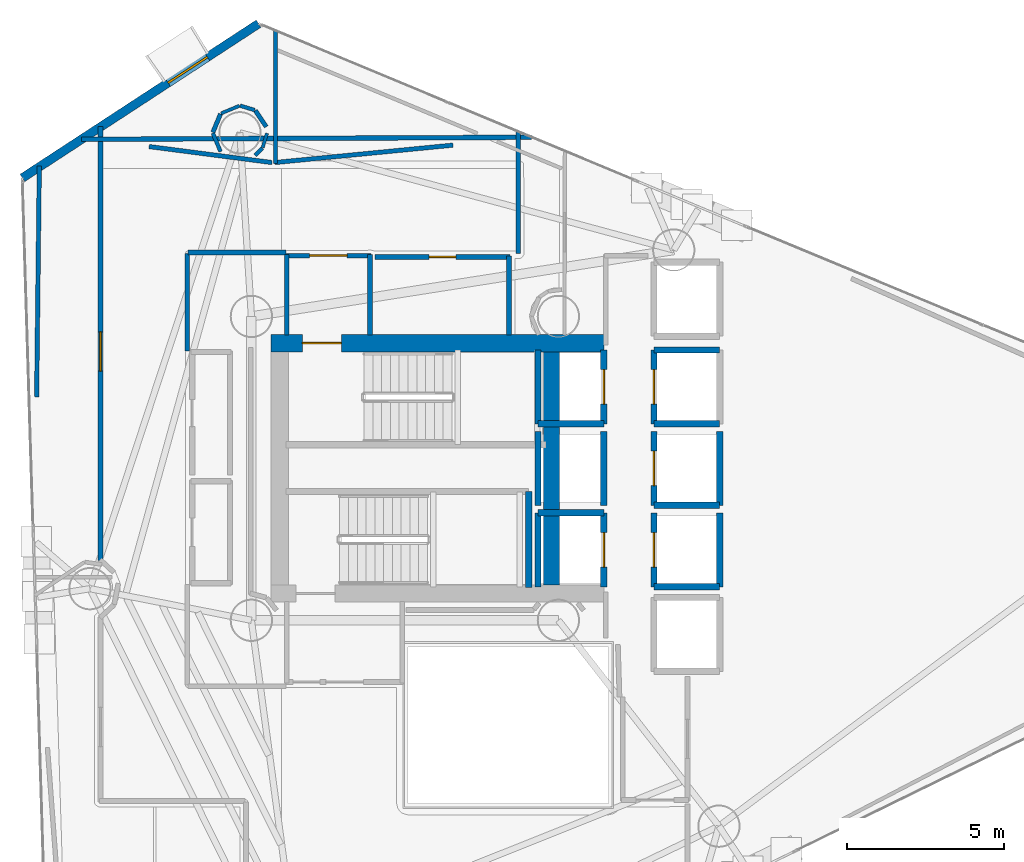
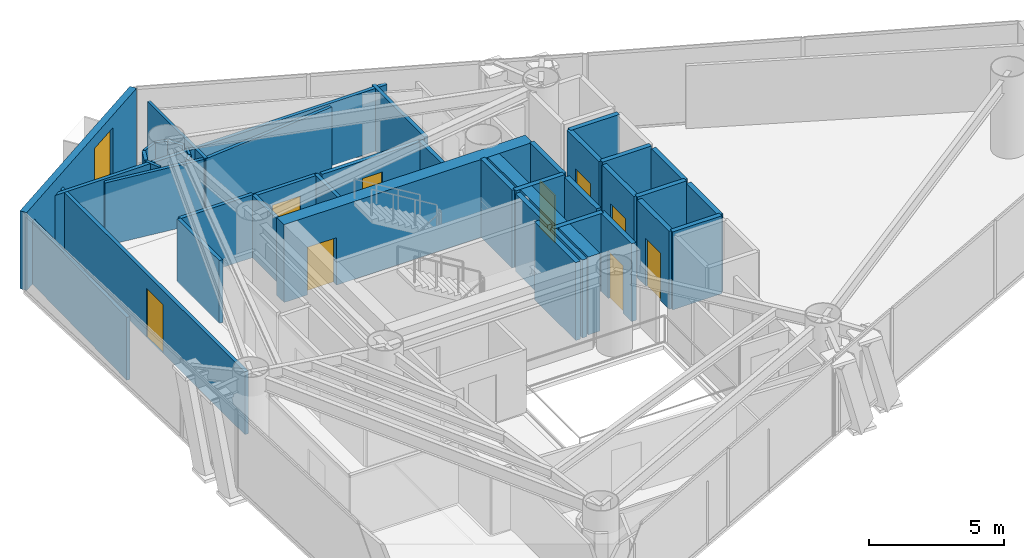
# One storey, part 19 of 22: 42 walls, 9 doors, 1 window, 10 openings.
"""IFC4 building model written with IfcOpenShell, lengths in metres."""

from ifc_helpers import new_model, si_unit, direction, frame, frame_2d, origin, place, context, subcontext, project, spatial, rectangle, extrude, material, layer, layer_set, type_object, element, fill, save


model = new_model("IFC4")

# Units and contexts
model_context = context("Model", 3, precision=1e-05, world=origin(), true_north=direction((0.0, 1.0)))
body_context = subcontext(model_context, "Body", "Model", "MODEL_VIEW")
ifc_project = project(units=[si_unit("LENGTHUNIT", "METRE"), si_unit("AREAUNIT", "SQUARE_METRE"), si_unit("VOLUMEUNIT", "CUBIC_METRE"), si_unit("PLANEANGLEUNIT", "RADIAN"), si_unit("MASSUNIT", "GRAM", prefix="KILO")], contexts=[model_context])

# Site, building, storey
site_placement = place(None, origin())
site = spatial("IfcSite", under=ifc_project, at=site_placement, CompositionType="ELEMENT")
building_placement = place(site_placement, origin())
building = spatial("IfcBuilding", under=site, at=building_placement, Name="Qianvela Tower", CompositionType="ELEMENT")
storey_placement = place(building_placement, frame((0.0, 0.0, 158.699951171875)))
storey = spatial("IfcBuildingStorey", under=building, at=storey_placement, Name="L40", CompositionType="ELEMENT", Elevation=158.699951171875)

# Wall, opening, window
ifc_material_1 = material(Name="Terracotta Cladding on Concrete C40", Category="masonry")
ifc_layer_1 = layer(ifc_material_1, 0.280029296875)
ifc_layer_set_1 = layer_set([ifc_layer_1], Name="Terracotta Cladding on Concrete C40")
wall_type_1 = type_object("IfcWallType", Name="TERRACOTTA-WALL-280", PredefinedType="SOLIDWALL", material=ifc_layer_set_1)
wall_1_placement = place(storey_placement, frame((28.82958984375, 42.894287109375, 0.0), z_axis=(0.0, 0.0, 1.0), x_axis=(-0.837273291315, -0.5467846337, 0.0)))
wall_1 = element("IfcWall", 1, at=wall_1_placement, inside=storey, type_object=wall_type_1, Name="L40 Terracotta Chamfer Facet Wall 3", PredefinedType="SOLIDWALL", context=body_context, shape_type="SweptSolid", body=[
    extrude(rectangle(XDim=9.003662109375, YDim=0.280029296875, at=frame_2d((4.501953125, 0.0))), origin(), (0.0, 0.0, 1.0), 3.52001953125),
])
opening_1_placement = place(wall_1_placement, frame((1.951171875, 0.0, 0.85009765625)))
opening_1 = element("IfcOpeningElement", 2, at=opening_1_placement, cuts=wall_1, Name="Opening W-02", PredefinedType="OPENING", context=body_context, shape_type="SweptSolid", body=[
    extrude(rectangle(XDim=1.5, YDim=2.10009765625, at=frame_2d((0.75, 1.050048828125))), frame((0.0, 0.14990234375, 0.0), z_axis=(0.0, -1.0, 0.0), x_axis=(1.0, 0.0, 0.0)), (0.0, 0.0, 1.0), 0.300048828125),
])
ifc_material_2 = material(Name="Thermally Broken Aluminium and Low-E Glass", Category="aluminium")
window_type = type_object("IfcWindowType", Name="WIN-TC-1500x2100", PartitioningType="DOUBLE_PANEL_VERTICAL", PredefinedType="WINDOW", material=ifc_material_2)
window_placement = place(opening_1_placement, origin())
window = element("IfcWindow", 3, at=window_placement, inside=storey, type_object=window_type, Name="L40 Chamfer Facet Window 3.1", OverallHeight=2.10009765625, OverallWidth=1.5, PartitioningType="SINGLE_PANEL", PredefinedType="WINDOW", context=body_context, shape_type="SweptSolid", body=[
    extrude(rectangle(XDim=1.5, YDim=2.10009765625, at=frame_2d((0.75, 1.050048828125))), frame((0.0, 0.030029296875, 0.0), z_axis=(0.0, -1.0, 0.0), x_axis=(1.0, 0.0, 0.0)), (0.0, 0.0, 1.0), 0.06005859375),
])
fill(opening_1, window)

# Wall, opening, door
ifc_material_3 = material(Name="Concrete C60", Category="concrete")
ifc_layer_2 = layer(ifc_material_3, 0.550048828125)
ifc_layer_set_2 = layer_set([ifc_layer_2], Name="Concrete C60")
wall_type_2 = type_object("IfcWallType", Name="WT-CORE-550", PredefinedType="SHEAR", material=ifc_layer_set_2)
wall_2_placement = place(storey_placement, frame((29.22998046875, 32.695068359375, 0.0), z_axis=(0.0, 0.0, 1.0), x_axis=(1.0, 0.0, 0.0)))
wall_2 = element("IfcWall", 4, at=wall_2_placement, inside=storey, type_object=wall_type_2, Name="L40 North Core Shear Wall", PredefinedType="SHEAR", context=body_context, shape_type="SweptSolid", body=[
    extrude(rectangle(XDim=10.6201171875, YDim=0.550048828125, at=frame_2d((5.31005859375, 0.0))), origin(), (0.0, 0.0, 1.0), 3.52001953125),
])
opening_2_placement = place(wall_2_placement, frame((0.9951171875, 0.0, 0.0)))
opening_2 = element("IfcOpeningElement", 5, at=opening_2_placement, cuts=wall_2, Name="Opening D-ST1", PredefinedType="OPENING", context=body_context, shape_type="SweptSolid", body=[
    extrude(rectangle(XDim=1.25, YDim=2.14990234375, at=frame_2d((0.625, 1.074951171875))), frame((0.0, 0.284912109375, 0.0), z_axis=(0.0, -1.0, 0.0), x_axis=(1.0, 0.0, 0.0)), (0.0, 0.0, 1.0), 0.570068359375),
])
ifc_material_4 = material(Name="Galvanised Fire Steel Q355B", Category="steel")
door_type_1 = type_object("IfcDoorType", Name="DT-STAIR-FD90", OperationType="NOTDEFINED", PredefinedType="DOOR", material=ifc_material_4)
door_1_placement = place(opening_2_placement, origin())
door_1 = element("IfcDoor", 6, at=door_1_placement, inside=storey, type_object=door_type_1, Name="L40 Stair ST-1 Exit Door", OperationType="SINGLE_SWING_RIGHT", OverallHeight=2.14990234375, OverallWidth=1.25, PredefinedType="DOOR", context=body_context, shape_type="SweptSolid", body=[
    extrude(rectangle(XDim=1.25, YDim=2.14990234375, at=frame_2d((0.625, 1.074951171875))), frame((0.0, 0.02490234375, 0.0), z_axis=(0.0, -1.0, 0.0), x_axis=(1.0, 0.0, 0.0)), (0.0, 0.0, 1.0), 0.050048828125),
])
fill(opening_2, door_1)

# Walls
wall_3_placement = place(storey_placement, frame((38.179931640625, 24.97998046875, 0.0), z_axis=(0.0, 0.0, 1.0), x_axis=(0.0, 1.0, 0.0)))
element("IfcWall", 7, at=wall_3_placement, inside=storey, type_object=wall_type_2, Name="L40 East Spine Core Shear Wall", PredefinedType="SHEAR", context=body_context, shape_type="SweptSolid", body=[
    extrude(rectangle(XDim=7.43994140625, YDim=0.5, at=frame_2d((3.719970703125, 0.0))), origin(), (0.0, 0.0, 1.0), 3.52001953125),
])
ifc_material_5 = material(Name="Fire-Rated Acoustic Gypsum Board")
ifc_layer_3 = layer(ifc_material_5, 0.14990234375)
ifc_layer_set_3 = layer_set([ifc_layer_3], Name="Fire-Rated Acoustic Gypsum Board")
wall_type_3 = type_object("IfcWallType", Name="WT-CORR-150", PredefinedType="PARTITIONING", material=ifc_layer_set_3)
wall_4_placement = place(storey_placement, frame((29.73095703125, 32.9580078125, 0.0), z_axis=(0.0, 0.0, 1.0), x_axis=(0.0, 1.0, 0.0)))
element("IfcWall", 8, at=wall_4_placement, inside=storey, type_object=wall_type_3, Name="L40 Partition 2", PredefinedType="PARTITIONING", context=body_context, shape_type="SweptSolid", body=[
    extrude(rectangle(XDim=2.56201171875, YDim=0.14990234375, at=frame_2d((1.281005859375, 0.0))), origin(), (0.0, 0.0, 1.0), 2.840087890625),
])

# Wall, opening, door
wall_5_placement = place(storey_placement, frame((29.699951171875, 35.489013671875, 0.0), z_axis=(0.0, 0.0, 1.0), x_axis=(1.0, 0.0, 0.0)))
wall_5 = element("IfcWall", 9, at=wall_5_placement, inside=storey, type_object=wall_type_3, Name="L40 Partition 3", PredefinedType="PARTITIONING", context=body_context, shape_type="SweptSolid", body=[
    extrude(rectangle(XDim=2.719970703125, YDim=0.14990234375, at=frame_2d((1.35986328125, 0.0))), origin(), (0.0, 0.0, 1.0), 2.840087890625),
])
opening_3_placement = place(wall_5_placement, frame((0.760009765625, 0.0, 0.0)))
opening_3 = element("IfcOpeningElement", 10, at=opening_3_placement, cuts=wall_5, Name="Opening D-LB1", PredefinedType="OPENING", context=body_context, shape_type="SweptSolid", body=[
    extrude(rectangle(XDim=1.199951171875, YDim=2.14990234375, at=frame_2d((0.60009765625, 1.074951171875))), frame((0.0, 0.0849609375, 0.0), z_axis=(0.0, -1.0, 0.0), x_axis=(1.0, 0.0, 0.0)), (0.0, 0.0, 1.0), 0.169921875),
])
ifc_material_6 = material(Name="Glazed Fire-Rated Steel Frame", Category="steel")
door_type_2 = type_object("IfcDoorType", Name="DT-LOBBY-FD90", OperationType="NOTDEFINED", PredefinedType="DOOR", material=ifc_material_6)
door_2_placement = place(opening_3_placement, origin())
door_2 = element("IfcDoor", 11, at=door_2_placement, inside=storey, type_object=door_type_2, Name="L40 Door L40 Firefighting Lobby North to L40 Floor Corridor", OperationType="SINGLE_SWING_LEFT", OverallHeight=2.14990234375, OverallWidth=1.199951171875, PredefinedType="DOOR", context=body_context, shape_type="SweptSolid", body=[
    extrude(rectangle(XDim=1.199951171875, YDim=2.14990234375, at=frame_2d((0.60009765625, 1.074951171875))), frame((0.0, 0.02490234375, 0.0), z_axis=(0.0, -1.0, 0.0), x_axis=(1.0, 0.0, 0.0)), (0.0, 0.0, 1.0), 0.050048828125),
])
fill(opening_3, door_2)

# Wall
wall_6_placement = place(storey_placement, frame((32.388916015625, 35.52001953125, 0.0), z_axis=(0.0, 0.0, 1.0), x_axis=(0.0, -1.0, 0.0)))
element("IfcWall", 12, at=wall_6_placement, inside=storey, type_object=wall_type_3, Name="L40 Partition 4", PredefinedType="PARTITIONING", context=body_context, shape_type="SweptSolid", body=[
    extrude(rectangle(XDim=2.56201171875, YDim=0.14990234375, at=frame_2d((1.281005859375, 0.0))), origin(), (0.0, 0.0, 1.0), 2.840087890625),
])

# Wall, opening, door
wall_7_placement = place(storey_placement, frame((23.781005859375, 25.76171875, 0.0), z_axis=(0.0, 0.0, 1.0), x_axis=(0.0, 1.0, 0.0)))
wall_7 = element("IfcWall", 13, at=wall_7_placement, inside=storey, type_object=wall_type_3, Name="L40 Partition 49", PredefinedType="PARTITIONING", context=body_context, shape_type="SweptSolid", body=[
    extrude(rectangle(XDim=13.855712890625, YDim=0.14990234375, at=frame_2d((6.927734375, 0.0))), origin(), (0.0, 0.0, 1.0), 2.840087890625),
])
opening_4_placement = place(wall_7_placement, frame((6.044189453125, 0.0, 0.0)))
opening_4 = element("IfcOpeningElement", 14, at=opening_4_placement, cuts=wall_7, Name="Opening D-LG1", PredefinedType="OPENING", context=body_context, shape_type="SweptSolid", body=[
    extrude(rectangle(XDim=1.25, YDim=2.199951171875, at=frame_2d((0.625, 1.10009765625))), frame((0.0, 0.0849609375, 0.0), z_axis=(0.0, -1.0, 0.0), x_axis=(1.0, 0.0, 0.0)), (0.0, 0.0, 1.0), 0.169921875),
])
ifc_material_7 = material(Name="Anodised Aluminium Acoustic Glass Door", Category="aluminium")
door_type_3 = type_object("IfcDoorType", Name="DT-LOUNGE-1250", OperationType="NOTDEFINED", PredefinedType="DOOR", material=ifc_material_7)
door_3_placement = place(opening_4_placement, origin())
door_3 = element("IfcDoor", 15, at=door_3_placement, inside=storey, type_object=door_type_3, Name="L40 Door Panoramic Study Lounge L40-05 to L40 Floor Corridor", OperationType="SINGLE_SWING_LEFT", OverallHeight=2.199951171875, OverallWidth=1.25, PredefinedType="DOOR", context=body_context, shape_type="SweptSolid", body=[
    extrude(rectangle(XDim=1.25, YDim=2.199951171875, at=frame_2d((0.625, 1.10009765625))), frame((0.0, 0.02490234375, 0.0), z_axis=(0.0, -1.0, 0.0), x_axis=(1.0, 0.0, 0.0)), (0.0, 0.0, 1.0), 0.050048828125),
])
fill(opening_4, door_3)

# Walls
wall_8_placement = place(storey_placement, frame((23.174072265625, 39.200927734375, 0.0), z_axis=(0.0, 0.0, 1.0), x_axis=(0.999989166238, 0.004654826148, 0.0)))
element("IfcWall", 16, at=wall_8_placement, inside=storey, type_object=wall_type_3, Name="L40 Partition 50", PredefinedType="PARTITIONING", context=body_context, shape_type="SweptSolid", body=[
    extrude(rectangle(XDim=14.37109375, YDim=0.14990234375, at=frame_2d((7.185546875, 0.0))), origin(), (0.0, 0.0, 1.0), 2.840087890625),
])
wall_9_placement = place(storey_placement, frame((37.118896484375, 39.465087890625, 0.0), z_axis=(0.0, 0.0, 1.0), x_axis=(0.0, -1.0, 0.0)))
element("IfcWall", 17, at=wall_9_placement, inside=storey, type_object=wall_type_3, Name="L40 Partition 51", PredefinedType="PARTITIONING", context=body_context, shape_type="SweptSolid", body=[
    extrude(rectangle(XDim=3.905029296875, YDim=0.14990234375, at=frame_2d((1.95263671875, 0.0))), origin(), (0.0, 0.0, 1.0), 2.840087890625),
])
wall_10_placement = place(storey_placement, frame((29.699951171875, 35.591064453125, 0.0), z_axis=(0.0, 0.0, 1.0), x_axis=(-1.0, 0.0, 0.0)))
element("IfcWall", 18, at=wall_10_placement, inside=storey, type_object=wall_type_3, Name="L40 Partition 52 seg 3", PredefinedType="PARTITIONING", context=body_context, shape_type="SweptSolid", body=[
    extrude(rectangle(XDim=3.119873046875, YDim=0.14990234375, at=frame_2d((1.56005859375, 0.0))), origin(), (0.0, 0.0, 1.0), 2.840087890625),
])
wall_11_placement = place(storey_placement, frame((26.549072265625, 35.56005859375, 0.0), z_axis=(0.0, 0.0, 1.0), x_axis=(0.0, -1.0, 0.0)))
element("IfcWall", 19, at=wall_11_placement, inside=storey, type_object=wall_type_3, Name="L40 Partition 53 seg 1", PredefinedType="PARTITIONING", context=body_context, shape_type="SweptSolid", body=[
    extrude(rectangle(XDim=3.110107421875, YDim=0.14990234375, at=frame_2d((1.55517578125, 0.0))), origin(), (0.0, 0.0, 1.0), 2.840087890625),
])
ifc_material_8 = material(Name="Lightweight Gypsum Room Partition")
ifc_layer_4 = layer(ifc_material_8, 0.10498046875)
ifc_layer_set_4 = layer_set([ifc_layer_4], Name="Lightweight Gypsum Room Partition")
wall_type_4 = type_object("IfcWallType", Name="WT-PART-105", PredefinedType="PARTITIONING", material=ifc_layer_set_4)
wall_12_placement = place(storey_placement, frame((28.22314453125, 40.274658203125, 0.0), z_axis=(0.0, 0.0, 1.0), x_axis=(-0.923821221018, -0.382824178437, 0.0)))
element("IfcWall", 20, at=wall_12_placement, inside=storey, type_object=wall_type_4, Name="L40 Partition 127", PredefinedType="PARTITIONING", context=body_context, shape_type="SweptSolid", body=[
    extrude(rectangle(XDim=0.638916015625, YDim=0.10498046875, at=frame_2d((0.3193359375, 0.0))), origin(), (0.0, 0.0, 1.0), 2.840087890625),
])
wall_13_placement = place(storey_placement, frame((28.958984375, 38.93798828125, 0.0), z_axis=(0.0, 0.0, 1.0), x_axis=(0.292866596221, 0.956153312402, 0.0)))
element("IfcWall", 21, at=wall_13_placement, inside=storey, type_object=wall_type_4, Name="L40 Partition 133", PredefinedType="PARTITIONING", context=body_context, shape_type="SweptSolid", body=[
    extrude(rectangle(XDim=0.478515625, YDim=0.10498046875, at=frame_2d((0.2392578125, 0.0))), origin(), (0.0, 0.0, 1.0), 2.840087890625),
])
ifc_material_9 = material(Name="Insulated Gypsum Stud Partition")
ifc_layer_5 = layer(ifc_material_9, 0.1201171875)
ifc_layer_set_5 = layer_set([ifc_layer_5], Name="Insulated Gypsum Stud Partition")
wall_type_5 = type_object("IfcWallType", Name="WT-PART-120", PredefinedType="PARTITIONING", material=ifc_layer_set_5)
wall_14_placement = place(storey_placement, frame((29.373046875, 38.429931640625, 0.0), z_axis=(0.0, 0.0, 1.0), x_axis=(0.0, 1.0, 0.0)))
element("IfcWall", 22, at=wall_14_placement, inside=storey, type_object=wall_type_5, Name="L40 Partition 111", PredefinedType="PARTITIONING", context=body_context, shape_type="SweptSolid", body=[
    extrude(rectangle(XDim=4.25830078125, YDim=0.1201171875, at=frame_2d((2.129150390625, 0.0))), origin(), (0.0, 0.0, 1.0), 2.840087890625),
])
wall_15_placement = place(storey_placement, frame((28.7080078125, 40.135009765625, 0.0), z_axis=(0.0, 0.0, 1.0), x_axis=(-0.95703287226, 0.289979449985, 0.0)))
element("IfcWall", 23, at=wall_15_placement, inside=storey, type_object=wall_type_5, Name="L40 Partition 126", PredefinedType="PARTITIONING", context=body_context, shape_type="SweptSolid", body=[
    extrude(rectangle(XDim=0.48486328125, YDim=0.1201171875, at=frame_2d((0.242431640625, 0.0))), origin(), (0.0, 0.0, 1.0), 2.840087890625),
])
wall_16_placement = place(storey_placement, frame((27.371337890625, 39.399169921875, 0.0), z_axis=(0.0, 0.0, 1.0), x_axis=(0.38268910224, -0.923877183952, 0.0)))
element("IfcWall", 24, at=wall_16_placement, inside=storey, type_object=wall_type_5, Name="L40 Partition 129", PredefinedType="PARTITIONING", context=body_context, shape_type="SweptSolid", body=[
    extrude(rectangle(XDim=0.63916015625, YDim=0.1201171875, at=frame_2d((0.319580078125, 0.0))), origin(), (0.0, 0.0, 1.0), 2.840087890625),
])
wall_17_placement = place(storey_placement, frame((28.720703125, 38.69482421875, 0.0), z_axis=(0.0, 0.0, 1.0), x_axis=(0.707106781187, 0.707106781187, 0.0)))
element("IfcWall", 25, at=wall_17_placement, inside=storey, type_object=wall_type_5, Name="L40 Partition 132", PredefinedType="PARTITIONING", context=body_context, shape_type="SweptSolid", body=[
    extrude(rectangle(XDim=0.325927734375, YDim=0.1201171875, at=frame_2d((0.1630859375, 0.0))), origin(), (0.0, 0.0, 1.0), 2.840087890625),
])

# Wall, opening, door
ifc_material_10 = material(Name="Sanitary Service Chase Partition")
ifc_layer_6 = layer(ifc_material_10, 0.1650390625)
ifc_layer_set_6 = layer_set([ifc_layer_6], Name="Sanitary Service Chase Partition")
wall_type_6 = type_object("IfcWallType", Name="WT-PLUMB-165", PredefinedType="PLUMBINGWALL", material=ifc_layer_set_6)
wall_18_placement = place(storey_placement, frame((32.550048828125, 35.448974609375, 0.0), z_axis=(0.0, 0.0, 1.0), x_axis=(1.0, 0.0, 0.0)))
wall_18 = element("IfcWall", 26, at=wall_18_placement, inside=storey, type_object=wall_type_6, Name="L40 Partition 22", PredefinedType="PLUMBINGWALL", context=body_context, shape_type="SweptSolid", body=[
    extrude(rectangle(XDim=4.300048828125, YDim=0.1650390625, at=frame_2d((2.14990234375, 0.0))), origin(), (0.0, 0.0, 1.0), 2.840087890625),
])
opening_5_placement = place(wall_18_placement, frame((1.719970703125, 0.0, 0.0)))
opening_5 = element("IfcOpeningElement", 27, at=opening_5_placement, cuts=wall_18, Name="Opening D-WC1", PredefinedType="OPENING", context=body_context, shape_type="SweptSolid", body=[
    extrude(rectangle(XDim=0.860107421875, YDim=2.050048828125, at=frame_2d((0.43017578125, 1.02490234375))), frame((0.0, 0.092529296875, 0.0), z_axis=(0.0, -1.0, 0.0), x_axis=(1.0, 0.0, 0.0)), (0.0, 0.0, 1.0), 0.18505859375),
])
ifc_material_11 = material(Name="Moisture-Sealed Acoustic Timber Door", Category="wood")
door_type_4 = type_object("IfcDoorType", Name="DT-WC-860", OperationType="NOTDEFINED", PredefinedType="DOOR", material=ifc_material_11)
door_4_placement = place(opening_5_placement, origin())
door_4 = element("IfcDoor", 28, at=door_4_placement, inside=storey, type_object=door_type_4, Name="L40 Door L40 Accessible WC to L40 Floor Corridor", OperationType="SINGLE_SWING_RIGHT", OverallHeight=2.050048828125, OverallWidth=0.860107421875, PredefinedType="DOOR", context=body_context, shape_type="SweptSolid", body=[
    extrude(rectangle(XDim=0.860107421875, YDim=2.050048828125, at=frame_2d((0.43017578125, 1.02490234375))), frame((0.0, 0.02490234375, 0.0), z_axis=(0.0, -1.0, 0.0), x_axis=(1.0, 0.0, 0.0)), (0.0, 0.0, 1.0), 0.050048828125),
])
fill(opening_5, door_4)

# Walls
wall_19_placement = place(storey_placement, frame((36.819091796875, 35.47998046875, 0.0), z_axis=(0.0, 0.0, 1.0), x_axis=(0.0, -1.0, 0.0)))
element("IfcWall", 29, at=wall_19_placement, inside=storey, type_object=wall_type_6, Name="L40 Partition 23", PredefinedType="PLUMBINGWALL", context=body_context, shape_type="SweptSolid", body=[
    extrude(rectangle(XDim=2.52197265625, YDim=0.1650390625, at=frame_2d((1.260986328125, 0.0))), origin(), (0.0, 0.0, 1.0), 2.840087890625),
])
ifc_material_12 = material(Name="Acoustic Double Gypsum Stud Partition")
ifc_layer_7 = layer(ifc_material_12, 0.139892578125)
ifc_layer_set_7 = layer_set([ifc_layer_7], Name="Acoustic Double Gypsum Stud Partition")
wall_type_7 = type_object("IfcWallType", Name="WT-ROOM-140", PredefinedType="PARTITIONING", material=ifc_layer_set_7)
wall_20_placement = place(storey_placement, frame((35.033203125, 39.01611328125, 0.0), z_axis=(0.0, 0.0, 1.0), x_axis=(-0.995275640249, -0.097089648918, 0.0)))
element("IfcWall", 30, at=wall_20_placement, inside=storey, type_object=wall_type_7, Name="L40 Partition 110 seg 2", PredefinedType="PARTITIONING", context=body_context, shape_type="SweptSolid", body=[
    extrude(rectangle(XDim=5.71826171875, YDim=0.139892578125, at=frame_2d((2.859130859375, 0.0))), origin(), (0.0, 0.0, 1.0), 2.840087890625),
])
wall_21_placement = place(storey_placement, frame((21.74560546875, 30.984619140625, 0.0), z_axis=(0.0, 0.0, 1.0), x_axis=(0.011576600203, 0.999932988919, 0.0)))
element("IfcWall", 31, at=wall_21_placement, inside=storey, type_object=wall_type_7, Name="L40 Partition 122 seg 2", PredefinedType="PARTITIONING", context=body_context, shape_type="SweptSolid", body=[
    extrude(rectangle(XDim=7.360107421875, YDim=0.139892578125, at=frame_2d((3.68017578125, 0.0))), origin(), (0.0, 0.0, 1.0), 2.840087890625),
])
wall_22_placement = place(storey_placement, frame((29.076416015625, 39.601806640625, 0.0), z_axis=(0.0, 0.0, 1.0), x_axis=(-0.559799741872, 0.828627931584, 0.0)))
element("IfcWall", 32, at=wall_22_placement, inside=storey, type_object=wall_type_7, Name="L40 Partition 125", PredefinedType="PARTITIONING", context=body_context, shape_type="SweptSolid", body=[
    extrude(rectangle(XDim=0.62841796875, YDim=0.139892578125, at=frame_2d((0.314208984375, 0.0))), origin(), (0.0, 0.0, 1.0), 2.840087890625),
])
wall_23_placement = place(storey_placement, frame((27.615966796875, 40.01318359375, 0.0), z_axis=(0.0, 0.0, 1.0), x_axis=(-0.382824178437, -0.923821221018, 0.0)))
element("IfcWall", 33, at=wall_23_placement, inside=storey, type_object=wall_type_7, Name="L40 Partition 128", PredefinedType="PARTITIONING", context=body_context, shape_type="SweptSolid", body=[
    extrude(rectangle(XDim=0.638916015625, YDim=0.139892578125, at=frame_2d((0.3193359375, 0.0))), origin(), (0.0, 0.0, 1.0), 2.840087890625),
])
wall_24_placement = place(storey_placement, frame((29.258056640625, 38.4609375, 0.0), z_axis=(0.0, 0.0, 1.0), x_axis=(-0.991648515984, 0.128969844331, 0.0)))
element("IfcWall", 34, at=wall_24_placement, inside=storey, type_object=wall_type_7, Name="L40 Partition 134 seg 1", PredefinedType="PARTITIONING", context=body_context, shape_type="SweptSolid", body=[
    extrude(rectangle(XDim=3.956298828125, YDim=0.139892578125, at=frame_2d((1.97802734375, 0.0))), origin(), (0.0, 0.0, 1.0), 2.840087890625),
])
ifc_material_13 = material(Name="Concrete C50", Category="concrete")
ifc_layer_8 = layer(ifc_material_13, 0.199951171875)
ifc_layer_set_8 = layer_set([ifc_layer_8], Name="Concrete C50")
wall_type_8 = type_object("IfcWallType", Name="WT-SHAFT-200", PredefinedType="SOLIDWALL", material=ifc_layer_set_8)
wall_25_placement = place(storey_placement, frame((37.449951171875, 24.89990234375, 0.0), z_axis=(0.0, 0.0, 1.0), x_axis=(0.0, 1.0, 0.0)))
element("IfcWall", 35, at=wall_25_placement, inside=storey, type_object=wall_type_8, Name="L40 Stair ST-2 East Wall", PredefinedType="SOLIDWALL", context=body_context, shape_type="SweptSolid", body=[
    extrude(rectangle(XDim=3.06005859375, YDim=0.199951171875, at=frame_2d((1.530029296875, 0.0))), origin(), (0.0, 0.0, 1.0), 3.52001953125),
])

# Wall, opening, door
wall_26_placement = place(storey_placement, frame((39.85009765625, 30.1201171875, 0.0), z_axis=(0.0, 0.0, 1.0), x_axis=(0.0, 1.0, 0.0)))
wall_26 = element("IfcWall", 36, at=wall_26_placement, inside=storey, type_object=wall_type_8, Name="L40 Lift FL-1 E Shaft Wall", PredefinedType="SOLIDWALL", context=body_context, shape_type="SweptSolid", body=[
    extrude(rectangle(XDim=2.35986328125, YDim=0.199951171875, at=frame_2d((1.179931640625, 0.0))), origin(), (0.0, 0.0, 1.0), 3.52001953125),
])
opening_6_placement = place(wall_26_placement, frame((0.6298828125, 0.0, 0.0)))
opening_6 = element("IfcOpeningElement", 37, at=opening_6_placement, cuts=wall_26, Name="Opening LD-01", PredefinedType="OPENING", context=body_context, shape_type="SweptSolid", body=[
    extrude(rectangle(XDim=1.10009765625, YDim=2.14990234375, at=frame_2d((0.550048828125, 1.074951171875))), frame((0.0, 0.10986328125, 0.0), z_axis=(0.0, -1.0, 0.0), x_axis=(1.0, 0.0, 0.0)), (0.0, 0.0, 1.0), 0.219970703125),
])
ifc_material_14 = material(Name="Brushed Stainless Steel Lift Landing Door", Category="steel")
door_type_5 = type_object("IfcDoorType", Name="DT-LIFT-SLIDE-1100", OperationType="SLIDING_TO_LEFT", PredefinedType="DOOR", material=ifc_material_14)
door_5_placement = place(opening_6_placement, origin())
door_5 = element("IfcDoor", 38, at=door_5_placement, inside=storey, type_object=door_type_5, Name="L40 Lift FL-1 Sliding Landing Door", OperationType="SLIDING_TO_LEFT", OverallHeight=2.14990234375, OverallWidth=1.10009765625, PredefinedType="DOOR", context=body_context, shape_type="SweptSolid", body=[
    extrude(rectangle(XDim=1.10009765625, YDim=2.14990234375, at=frame_2d((0.550048828125, 1.074951171875))), frame((0.0, 0.02490234375, 0.0), z_axis=(0.0, -1.0, 0.0), x_axis=(1.0, 0.0, 0.0)), (0.0, 0.0, 1.0), 0.050048828125),
])
fill(opening_6, door_5)

# Walls
wall_27_placement = place(storey_placement, frame((37.75, 30.1201171875, 0.0), z_axis=(0.0, 0.0, 1.0), x_axis=(0.0, 1.0, 0.0)))
element("IfcWall", 39, at=wall_27_placement, inside=storey, type_object=wall_type_8, Name="L40 Lift FL-1 W Shaft Wall", PredefinedType="SOLIDWALL", context=body_context, shape_type="SweptSolid", body=[
    extrude(rectangle(XDim=2.35986328125, YDim=0.199951171875, at=frame_2d((1.179931640625, 0.0))), origin(), (0.0, 0.0, 1.0), 3.52001953125),
])
wall_28_placement = place(storey_placement, frame((37.75, 30.1201171875, 0.0), z_axis=(0.0, 0.0, 1.0), x_axis=(1.0, 0.0, 0.0)))
element("IfcWall", 40, at=wall_28_placement, inside=storey, type_object=wall_type_8, Name="L40 Lift FL-1 S Shaft Wall", PredefinedType="SOLIDWALL", context=body_context, shape_type="SweptSolid", body=[
    extrude(rectangle(XDim=2.10009765625, YDim=0.199951171875, at=frame_2d((1.050048828125, 0.0))), origin(), (0.0, 0.0, 1.0), 3.52001953125),
])

# Wall, opening, door
wall_29_placement = place(storey_placement, frame((39.85009765625, 24.919921875, 0.0), z_axis=(0.0, 0.0, 1.0), x_axis=(0.0, 1.0, 0.0)))
wall_29 = element("IfcWall", 41, at=wall_29_placement, inside=storey, type_object=wall_type_8, Name="L40 Lift FL-2 E Shaft Wall", PredefinedType="SOLIDWALL", context=body_context, shape_type="SweptSolid", body=[
    extrude(rectangle(XDim=2.360107421875, YDim=0.199951171875, at=frame_2d((1.18017578125, 0.0))), origin(), (0.0, 0.0, 1.0), 3.52001953125),
])
opening_7_placement = place(wall_29_placement, frame((0.6298828125, 0.0, 0.0)))
opening_7 = element("IfcOpeningElement", 42, at=opening_7_placement, cuts=wall_29, Name="Opening LD-01", PredefinedType="OPENING", context=body_context, shape_type="SweptSolid", body=[
    extrude(rectangle(XDim=1.10009765625, YDim=2.14990234375, at=frame_2d((0.550048828125, 1.074951171875))), frame((0.0, 0.10986328125, 0.0), z_axis=(0.0, -1.0, 0.0), x_axis=(1.0, 0.0, 0.0)), (0.0, 0.0, 1.0), 0.219970703125),
])
door_6_placement = place(opening_7_placement, origin())
door_6 = element("IfcDoor", 43, at=door_6_placement, inside=storey, type_object=door_type_5, Name="L40 Lift FL-2 Sliding Landing Door", OperationType="SLIDING_TO_LEFT", OverallHeight=2.14990234375, OverallWidth=1.10009765625, PredefinedType="DOOR", context=body_context, shape_type="SweptSolid", body=[
    extrude(rectangle(XDim=1.10009765625, YDim=2.14990234375, at=frame_2d((0.550048828125, 1.074951171875))), frame((0.0, 0.02490234375, 0.0), z_axis=(0.0, -1.0, 0.0), x_axis=(1.0, 0.0, 0.0)), (0.0, 0.0, 1.0), 0.050048828125),
])
fill(opening_7, door_6)

# Walls
wall_30_placement = place(storey_placement, frame((37.75, 24.919921875, 0.0), z_axis=(0.0, 0.0, 1.0), x_axis=(0.0, 1.0, 0.0)))
element("IfcWall", 44, at=wall_30_placement, inside=storey, type_object=wall_type_8, Name="L40 Lift FL-2 W Shaft Wall", PredefinedType="SOLIDWALL", context=body_context, shape_type="SweptSolid", body=[
    extrude(rectangle(XDim=2.360107421875, YDim=0.199951171875, at=frame_2d((1.18017578125, 0.0))), origin(), (0.0, 0.0, 1.0), 3.52001953125),
])
wall_31_placement = place(storey_placement, frame((37.75, 27.280029296875, 0.0), z_axis=(0.0, 0.0, 1.0), x_axis=(1.0, 0.0, 0.0)))
element("IfcWall", 45, at=wall_31_placement, inside=storey, type_object=wall_type_8, Name="L40 Lift FL-2 N Shaft Wall", PredefinedType="SOLIDWALL", context=body_context, shape_type="SweptSolid", body=[
    extrude(rectangle(XDim=2.10009765625, YDim=0.199951171875, at=frame_2d((1.050048828125, 0.0))), origin(), (0.0, 0.0, 1.0), 3.52001953125),
])

# Wall, opening, door
wall_32_placement = place(storey_placement, frame((41.449951171875, 30.1201171875, 0.0), z_axis=(0.0, 0.0, 1.0), x_axis=(0.0, 1.0, 0.0)))
wall_32 = element("IfcWall", 46, at=wall_32_placement, inside=storey, type_object=wall_type_8, Name="L40 Lift PL-M1 W Shaft Wall", PredefinedType="SOLIDWALL", context=body_context, shape_type="SweptSolid", body=[
    extrude(rectangle(XDim=2.35986328125, YDim=0.199951171875, at=frame_2d((1.179931640625, 0.0))), origin(), (0.0, 0.0, 1.0), 3.52001953125),
])
opening_8_placement = place(wall_32_placement, frame((0.6298828125, 0.0, 0.0)))
opening_8 = element("IfcOpeningElement", 47, at=opening_8_placement, cuts=wall_32, Name="Opening LD-01", PredefinedType="OPENING", context=body_context, shape_type="SweptSolid", body=[
    extrude(rectangle(XDim=1.10009765625, YDim=2.14990234375, at=frame_2d((0.550048828125, 1.074951171875))), frame((0.0, 0.10986328125, 0.0), z_axis=(0.0, -1.0, 0.0), x_axis=(1.0, 0.0, 0.0)), (0.0, 0.0, 1.0), 0.219970703125),
])
door_7_placement = place(opening_8_placement, origin())
door_7 = element("IfcDoor", 48, at=door_7_placement, inside=storey, type_object=door_type_5, Name="L40 Lift PL-M1 Sliding Landing Door", OperationType="SLIDING_TO_LEFT", OverallHeight=2.14990234375, OverallWidth=1.10009765625, PredefinedType="DOOR", context=body_context, shape_type="SweptSolid", body=[
    extrude(rectangle(XDim=1.10009765625, YDim=2.14990234375, at=frame_2d((0.550048828125, 1.074951171875))), frame((0.0, 0.02490234375, 0.0), z_axis=(0.0, -1.0, 0.0), x_axis=(1.0, 0.0, 0.0)), (0.0, 0.0, 1.0), 0.050048828125),
])
fill(opening_8, door_7)

# Walls
for number, where, z_axis, x_axis, name in (
    (49, (41.449951171875, 32.47998046875, 0.0), (0.0, 0.0, 1.0), (1.0, 0.0, 0.0), "L40 Lift PL-M1 N Shaft Wall"),
    (50, (41.449951171875, 30.1201171875, 0.0), (0.0, 0.0, 1.0), (1.0, 0.0, 0.0), "L40 Lift PL-M1 S Shaft Wall"),
):
    element("IfcWall", number, at=place(storey_placement, frame(where, z_axis=z_axis, x_axis=x_axis)), inside=storey, type_object=wall_type_8, Name=name, PredefinedType="SOLIDWALL", context=body_context, shape_type="SweptSolid", body=[
        extrude(rectangle(XDim=2.10009765625, YDim=0.199951171875, at=frame_2d((1.050048828125, 0.0))), origin(), (0.0, 0.0, 1.0), 3.52001953125),
    ])
wall_33_placement = place(storey_placement, frame((43.550048828125, 27.52001953125, 0.0), z_axis=(0.0, 0.0, 1.0), x_axis=(0.0, 1.0, 0.0)))
element("IfcWall", 51, at=wall_33_placement, inside=storey, type_object=wall_type_8, Name="L40 Lift PL-M2 E Shaft Wall", PredefinedType="SOLIDWALL", context=body_context, shape_type="SweptSolid", body=[
    extrude(rectangle(XDim=2.35986328125, YDim=0.199951171875, at=frame_2d((1.179931640625, 0.0))), origin(), (0.0, 0.0, 1.0), 3.52001953125),
])

# Wall, opening, door
wall_34_placement = place(storey_placement, frame((41.449951171875, 27.52001953125, 0.0), z_axis=(0.0, 0.0, 1.0), x_axis=(0.0, 1.0, 0.0)))
wall_34 = element("IfcWall", 52, at=wall_34_placement, inside=storey, type_object=wall_type_8, Name="L40 Lift PL-M2 W Shaft Wall", PredefinedType="SOLIDWALL", context=body_context, shape_type="SweptSolid", body=[
    extrude(rectangle(XDim=2.35986328125, YDim=0.199951171875, at=frame_2d((1.179931640625, 0.0))), origin(), (0.0, 0.0, 1.0), 3.52001953125),
])
opening_9_placement = place(wall_34_placement, frame((0.6298828125, 0.0, 0.0)))
opening_9 = element("IfcOpeningElement", 53, at=opening_9_placement, cuts=wall_34, Name="Opening LD-01", PredefinedType="OPENING", context=body_context, shape_type="SweptSolid", body=[
    extrude(rectangle(XDim=1.10009765625, YDim=2.14990234375, at=frame_2d((0.550048828125, 1.074951171875))), frame((0.0, 0.10986328125, 0.0), z_axis=(0.0, -1.0, 0.0), x_axis=(1.0, 0.0, 0.0)), (0.0, 0.0, 1.0), 0.219970703125),
])
door_8_placement = place(opening_9_placement, origin())
door_8 = element("IfcDoor", 54, at=door_8_placement, inside=storey, type_object=door_type_5, Name="L40 Lift PL-M2 Sliding Landing Door", OperationType="SLIDING_TO_LEFT", OverallHeight=2.14990234375, OverallWidth=1.10009765625, PredefinedType="DOOR", context=body_context, shape_type="SweptSolid", body=[
    extrude(rectangle(XDim=1.10009765625, YDim=2.14990234375, at=frame_2d((0.550048828125, 1.074951171875))), frame((0.0, 0.02490234375, 0.0), z_axis=(0.0, -1.0, 0.0), x_axis=(1.0, 0.0, 0.0)), (0.0, 0.0, 1.0), 0.050048828125),
])
fill(opening_9, door_8)

# Walls
wall_35_placement = place(storey_placement, frame((41.449951171875, 27.52001953125, 0.0), z_axis=(0.0, 0.0, 1.0), x_axis=(1.0, 0.0, 0.0)))
element("IfcWall", 55, at=wall_35_placement, inside=storey, type_object=wall_type_8, Name="L40 Lift PL-M2 S Shaft Wall", PredefinedType="SOLIDWALL", context=body_context, shape_type="SweptSolid", body=[
    extrude(rectangle(XDim=2.10009765625, YDim=0.199951171875, at=frame_2d((1.050048828125, 0.0))), origin(), (0.0, 0.0, 1.0), 3.52001953125),
])
wall_36_placement = place(storey_placement, frame((43.550048828125, 24.919921875, 0.0), z_axis=(0.0, 0.0, 1.0), x_axis=(0.0, 1.0, 0.0)))
element("IfcWall", 56, at=wall_36_placement, inside=storey, type_object=wall_type_8, Name="L40 Lift PL-M3 E Shaft Wall", PredefinedType="SOLIDWALL", context=body_context, shape_type="SweptSolid", body=[
    extrude(rectangle(XDim=2.360107421875, YDim=0.199951171875, at=frame_2d((1.18017578125, 0.0))), origin(), (0.0, 0.0, 1.0), 3.52001953125),
])

# Wall, opening, door
wall_37_placement = place(storey_placement, frame((41.449951171875, 24.919921875, 0.0), z_axis=(0.0, 0.0, 1.0), x_axis=(0.0, 1.0, 0.0)))
wall_37 = element("IfcWall", 57, at=wall_37_placement, inside=storey, type_object=wall_type_8, Name="L40 Lift PL-M3 W Shaft Wall", PredefinedType="SOLIDWALL", context=body_context, shape_type="SweptSolid", body=[
    extrude(rectangle(XDim=2.360107421875, YDim=0.199951171875, at=frame_2d((1.18017578125, 0.0))), origin(), (0.0, 0.0, 1.0), 3.52001953125),
])
opening_10_placement = place(wall_37_placement, frame((0.6298828125, 0.0, 0.0)))
opening_10 = element("IfcOpeningElement", 58, at=opening_10_placement, cuts=wall_37, Name="Opening LD-01", PredefinedType="OPENING", context=body_context, shape_type="SweptSolid", body=[
    extrude(rectangle(XDim=1.10009765625, YDim=2.14990234375, at=frame_2d((0.550048828125, 1.074951171875))), frame((0.0, 0.10986328125, 0.0), z_axis=(0.0, -1.0, 0.0), x_axis=(1.0, 0.0, 0.0)), (0.0, 0.0, 1.0), 0.219970703125),
])
door_9_placement = place(opening_10_placement, origin())
door_9 = element("IfcDoor", 59, at=door_9_placement, inside=storey, type_object=door_type_5, Name="L40 Lift PL-M3 Sliding Landing Door", OperationType="SLIDING_TO_LEFT", OverallHeight=2.14990234375, OverallWidth=1.10009765625, PredefinedType="DOOR", context=body_context, shape_type="SweptSolid", body=[
    extrude(rectangle(XDim=1.10009765625, YDim=2.14990234375, at=frame_2d((0.550048828125, 1.074951171875))), frame((0.0, 0.02490234375, 0.0), z_axis=(0.0, -1.0, 0.0), x_axis=(1.0, 0.0, 0.0)), (0.0, 0.0, 1.0), 0.050048828125),
])
fill(opening_10, door_9)

# Walls
wall_38_placement = place(storey_placement, frame((41.449951171875, 24.919921875, 0.0), z_axis=(0.0, 0.0, 1.0), x_axis=(1.0, 0.0, 0.0)))
element("IfcWall", 60, at=wall_38_placement, inside=storey, type_object=wall_type_8, Name="L40 Lift PL-M3 S Shaft Wall", PredefinedType="SOLIDWALL", context=body_context, shape_type="SweptSolid", body=[
    extrude(rectangle(XDim=2.10009765625, YDim=0.199951171875, at=frame_2d((1.050048828125, 0.0))), origin(), (0.0, 0.0, 1.0), 3.52001953125),
])
for number, where, z_axis, x_axis, name in (
    (61, (39.85009765625, 27.52001953125, 0.0), (0.0, 0.0, 1.0), (0.0, 1.0, 0.0), "L40 Lift PL-H1 E Shaft Wall"),
    (62, (37.75, 27.52001953125, 0.0), (0.0, 0.0, 1.0), (0.0, 1.0, 0.0), "L40 Lift PL-H1 W Shaft Wall"),
):
    element("IfcWall", number, at=place(storey_placement, frame(where, z_axis=z_axis, x_axis=x_axis)), inside=storey, type_object=wall_type_8, Name=name, PredefinedType="SOLIDWALL", context=body_context, shape_type="SweptSolid", body=[
        extrude(rectangle(XDim=2.35986328125, YDim=0.199951171875, at=frame_2d((1.179931640625, 0.0))), origin(), (0.0, 0.0, 1.0), 3.52001953125),
    ])

save(model, "model.ifc")
